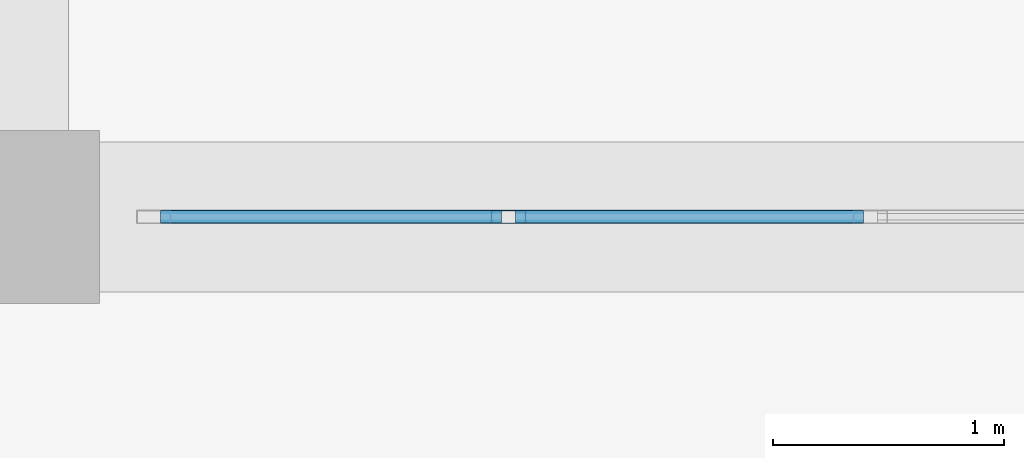
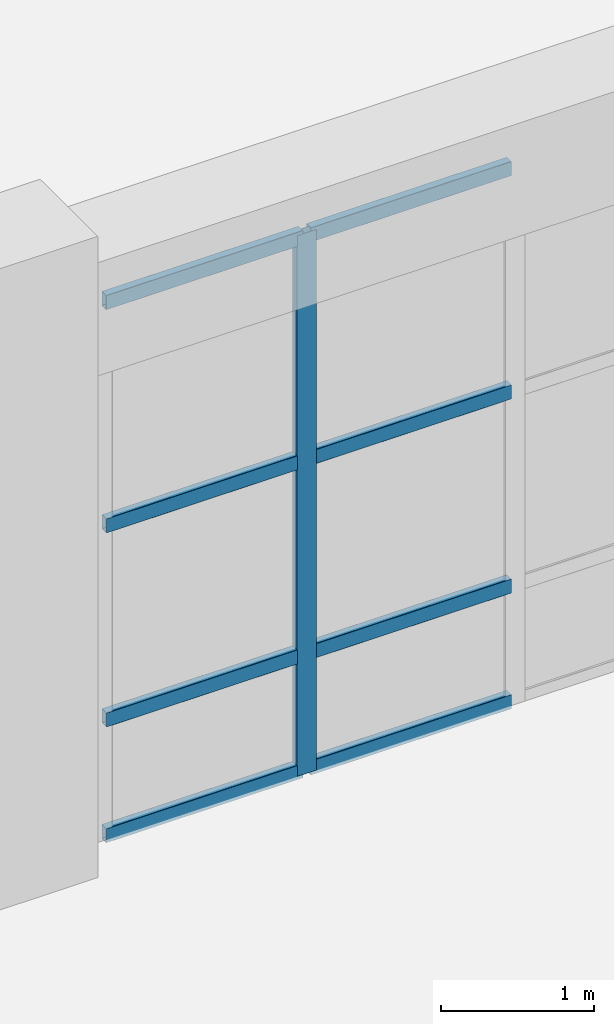
# One storey, part 34 of 128: 9 members, 1 element without a shape of its own.
"""IFC4 building model written with IfcOpenShell, lengths in metres."""

from ifc_helpers import new_model, si_unit, direction, frame, origin, origin_2d, place, context, subcontext, project, spatial, hollow_rectangle, extrude, material, material_profile, profile_set, type_object, element, aggregate, save


model = new_model("IFC4")

# Units and contexts
model_context = context("Model", 3, precision=1e-05, world=origin(), true_north=direction((0.0, 1.0)))
body_context = subcontext(model_context, "Body", "Model", "MODEL_VIEW")
ifc_project = project(units=[si_unit("LENGTHUNIT", "METRE"), si_unit("AREAUNIT", "SQUARE_METRE"), si_unit("VOLUMEUNIT", "CUBIC_METRE"), si_unit("PLANEANGLEUNIT", "RADIAN"), si_unit("MASSUNIT", "GRAM", prefix="KILO")], contexts=[model_context])

# Site, building, storey
site_placement = place(None, origin())
site = spatial("IfcSite", under=ifc_project, at=site_placement, CompositionType="ELEMENT")
building_placement = place(site_placement, origin())
building = spatial("IfcBuilding", under=site, at=building_placement, Name="Miravela Opera House", CompositionType="ELEMENT")
storey_placement = place(building_placement, origin())
storey = spatial("IfcBuildingStorey", under=building, at=storey_placement, Name="L00", CompositionType="ELEMENT", Elevation=0.0)

# Curtain wall, members
ifc_material = material(Name="Anodised architectural bronze aluminium 6063-T6", Category="aluminium")
curtain_wall_type = type_object("IfcCurtainWallType", Name="ARC-CW-06", PredefinedType="NOTDEFINED", material=ifc_material)
curtain_wall_placement = place(storey_placement, origin())
curtain_wall = element("IfcCurtainWall", 1, at=curtain_wall_placement, inside=storey, type_object=curtain_wall_type, Name="Courtyard Arcade Curtain Wall CW-L00-117", PredefinedType="NOTDEFINED")
ifc_material_profile_1 = material_profile(ifc_material, hollow_rectangle(XDim=0.06005859375, YDim=0.14990234375, WallThickness=0.00390625, InnerFilletRadius=0.001953125, OuterFilletRadius=0.00390625, at=origin_2d()), Name="CWM-60X150")
ifc_profile_set_1 = profile_set([ifc_material_profile_1])
member_type_1 = type_object("IfcMemberType", Name="ARC-CWM-150", PredefinedType="MULLION", material=ifc_profile_set_1)
member_1_placement = place(storey_placement, frame((47.14794921875, 28.0, 0.0), z_axis=(0.0, 0.0, 1.0), x_axis=(0.0, 1.0, 0.0)))
member_1 = element("IfcMember", 2, at=member_1_placement, type_object=member_type_1, Name="CW-06 mullion 2", PredefinedType="MULLION", context=body_context, shape_type="SweptSolid", body=[
    extrude(hollow_rectangle(XDim=0.06005859375, YDim=0.14990234375, WallThickness=0.00390625, InnerFilletRadius=0.001953125, OuterFilletRadius=0.00390625, at=origin_2d()), origin(), (0.0, 0.0, 1.0), 4.300048828125),
])
ifc_material_profile_2 = material_profile(ifc_material, hollow_rectangle(XDim=0.06005859375, YDim=0.114990234375, WallThickness=0.00390625, InnerFilletRadius=0.001953125, OuterFilletRadius=0.00390625, at=origin_2d()), Name="CWT-60X115")
ifc_profile_set_2 = profile_set([ifc_material_profile_2])
member_type_2 = type_object("IfcMemberType", Name="ARC-CWT-115", PredefinedType="USERDEFINED", material=ifc_profile_set_2)
member_2_placement = place(storey_placement, frame((45.639892578125, 28.0, 0.030029296875), z_axis=(1.0, 0.0, 0.0), x_axis=(0.0, 1.0, 0.0)))
member_2 = element("IfcMember", 3, at=member_2_placement, type_object=member_type_2, Name="CW-06 transom 1.1", ObjectType="TRANSOM", PredefinedType="USERDEFINED", context=body_context, shape_type="SweptSolid", body=[
    extrude(hollow_rectangle(XDim=0.06005859375, YDim=0.114990234375, WallThickness=0.00390625, InnerFilletRadius=0.001953125, OuterFilletRadius=0.00390625, at=origin_2d()), origin(), (0.0, 0.0, 1.0), 1.47802734375),
])
member_3_placement = place(storey_placement, frame((45.639892578125, 28.0, 0.949951171875), z_axis=(1.0, 0.0, 0.0), x_axis=(0.0, 1.0, 0.0)))
member_3 = element("IfcMember", 4, at=member_3_placement, type_object=member_type_2, Name="CW-06 transom 1.2", ObjectType="TRANSOM", PredefinedType="USERDEFINED", context=body_context, shape_type="SweptSolid", body=[
    extrude(hollow_rectangle(XDim=0.06005859375, YDim=0.114990234375, WallThickness=0.00390625, InnerFilletRadius=0.001953125, OuterFilletRadius=0.00390625, at=origin_2d()), origin(), (0.0, 0.0, 1.0), 1.47802734375),
])
member_4_placement = place(storey_placement, frame((45.639892578125, 28.0, 2.493896484375), z_axis=(1.0, 0.0, 0.0), x_axis=(0.0, 1.0, 0.0)))
member_4 = element("IfcMember", 5, at=member_4_placement, type_object=member_type_2, Name="CW-06 transom 1.3", ObjectType="TRANSOM", PredefinedType="USERDEFINED", context=body_context, shape_type="SweptSolid", body=[
    extrude(hollow_rectangle(XDim=0.06005859375, YDim=0.114990234375, WallThickness=0.00390625, InnerFilletRadius=0.001953125, OuterFilletRadius=0.00390625, at=origin_2d()), origin(), (0.0, 0.0, 1.0), 1.47802734375),
])
member_5_placement = place(storey_placement, frame((45.639892578125, 28.0, 4.27001953125), z_axis=(1.0, 0.0, 0.0), x_axis=(0.0, 1.0, 0.0)))
member_5 = element("IfcMember", 6, at=member_5_placement, type_object=member_type_2, Name="CW-06 transom 1.4", ObjectType="TRANSOM", PredefinedType="USERDEFINED", context=body_context, shape_type="SweptSolid", body=[
    extrude(hollow_rectangle(XDim=0.06005859375, YDim=0.114990234375, WallThickness=0.00390625, InnerFilletRadius=0.001953125, OuterFilletRadius=0.00390625, at=origin_2d()), origin(), (0.0, 0.0, 1.0), 1.47802734375),
])
member_6_placement = place(storey_placement, frame((47.177978515625, 28.0, 0.030029296875), z_axis=(1.0, 0.0, 0.0), x_axis=(0.0, 1.0, 0.0)))
member_6 = element("IfcMember", 7, at=member_6_placement, type_object=member_type_2, Name="CW-06 transom 2.1", ObjectType="TRANSOM", PredefinedType="USERDEFINED", context=body_context, shape_type="SweptSolid", body=[
    extrude(hollow_rectangle(XDim=0.06005859375, YDim=0.114990234375, WallThickness=0.00390625, InnerFilletRadius=0.001953125, OuterFilletRadius=0.00390625, at=origin_2d()), origin(), (0.0, 0.0, 1.0), 1.508056640625),
])
member_7_placement = place(storey_placement, frame((47.177978515625, 28.0, 0.949951171875), z_axis=(1.0, 0.0, 0.0), x_axis=(0.0, 1.0, 0.0)))
member_7 = element("IfcMember", 8, at=member_7_placement, type_object=member_type_2, Name="CW-06 transom 2.2", ObjectType="TRANSOM", PredefinedType="USERDEFINED", context=body_context, shape_type="SweptSolid", body=[
    extrude(hollow_rectangle(XDim=0.06005859375, YDim=0.114990234375, WallThickness=0.00390625, InnerFilletRadius=0.001953125, OuterFilletRadius=0.00390625, at=origin_2d()), origin(), (0.0, 0.0, 1.0), 1.508056640625),
])
member_8_placement = place(storey_placement, frame((47.177978515625, 28.0, 2.493896484375), z_axis=(1.0, 0.0, 0.0), x_axis=(0.0, 1.0, 0.0)))
member_8 = element("IfcMember", 9, at=member_8_placement, type_object=member_type_2, Name="CW-06 transom 2.3", ObjectType="TRANSOM", PredefinedType="USERDEFINED", context=body_context, shape_type="SweptSolid", body=[
    extrude(hollow_rectangle(XDim=0.06005859375, YDim=0.114990234375, WallThickness=0.00390625, InnerFilletRadius=0.001953125, OuterFilletRadius=0.00390625, at=origin_2d()), origin(), (0.0, 0.0, 1.0), 1.508056640625),
])
member_9_placement = place(storey_placement, frame((47.177978515625, 28.0, 4.27001953125), z_axis=(1.0, 0.0, 0.0), x_axis=(0.0, 1.0, 0.0)))
member_9 = element("IfcMember", 10, at=member_9_placement, type_object=member_type_2, Name="CW-06 transom 2.4", ObjectType="TRANSOM", PredefinedType="USERDEFINED", context=body_context, shape_type="SweptSolid", body=[
    extrude(hollow_rectangle(XDim=0.06005859375, YDim=0.114990234375, WallThickness=0.00390625, InnerFilletRadius=0.001953125, OuterFilletRadius=0.00390625, at=origin_2d()), origin(), (0.0, 0.0, 1.0), 1.508056640625),
])
aggregate(curtain_wall, [member_1, member_2, member_3, member_4, member_5, member_6, member_7, member_8, member_9])

save(model, "model.ifc")
